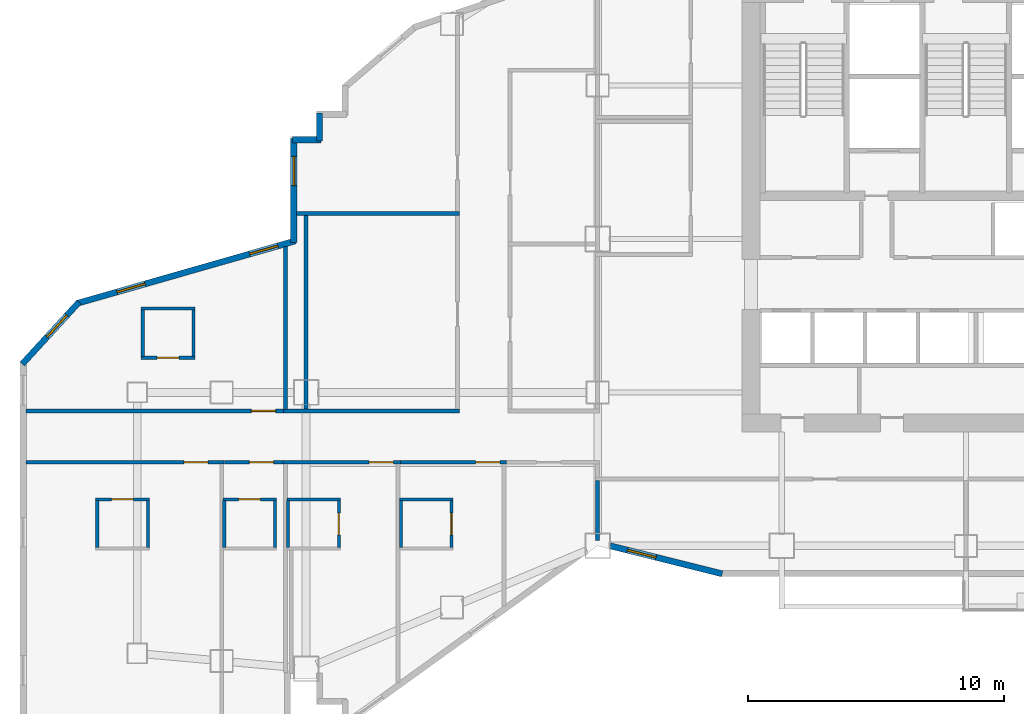
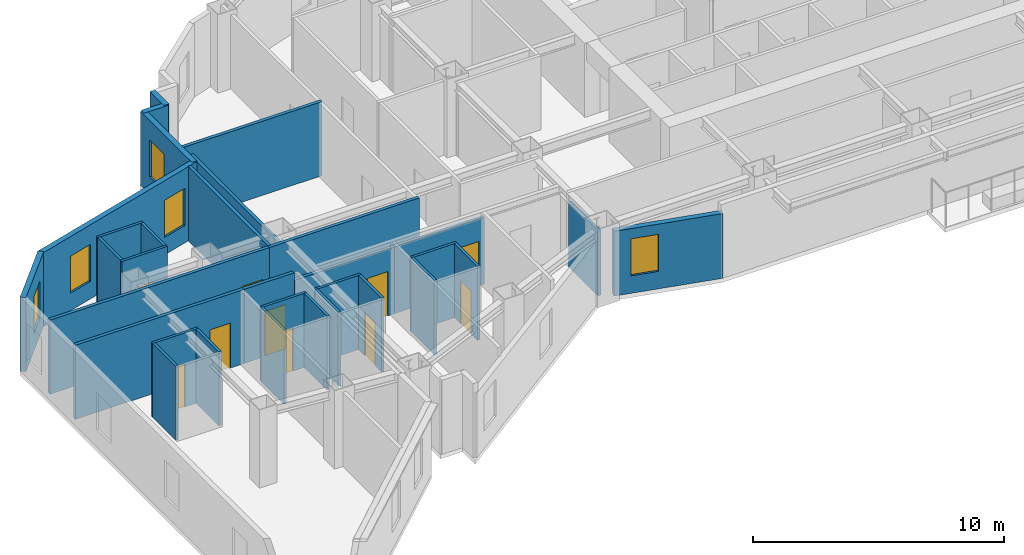
# One storey, part 6 of 13: 32 walls, 10 doors, 5 windows, 15 openings.
"""IFC4 building model written with IfcOpenShell, lengths in metres."""

from ifc_helpers import new_model, si_unit, direction, frame, frame_2d, origin, place, context, subcontext, project, spatial, rectangle, extrude, material, layer, layer_set, type_object, element, fill, save


model = new_model("IFC4")

# Units and contexts
model_context = context("Model", 3, precision=1e-05, world=origin(), true_north=direction((0.0, 1.0)))
body_context = subcontext(model_context, "Body", "Model", "MODEL_VIEW")
ifc_project = project(units=[si_unit("LENGTHUNIT", "METRE"), si_unit("AREAUNIT", "SQUARE_METRE"), si_unit("VOLUMEUNIT", "CUBIC_METRE"), si_unit("PLANEANGLEUNIT", "RADIAN"), si_unit("MASSUNIT", "GRAM", prefix="KILO")], contexts=[model_context])

# Site, building, storey
site_placement = place(None, origin())
site = spatial("IfcSite", under=ifc_project, at=site_placement, CompositionType="ELEMENT")
building_placement = place(site_placement, origin())
building = spatial("IfcBuilding", under=site, at=building_placement, Name="Haolan Belvedere Tower", CompositionType="ELEMENT")
storey_placement = place(building_placement, frame((0.0, 0.0, 128.800048828125)))
storey = spatial("IfcBuildingStorey", under=building, at=storey_placement, Name="L32", CompositionType="ELEMENT", Elevation=128.800048828125)

# Wall, opening, window
ifc_material_1 = material(Name="Precast concrete C40/50", Category="concrete")
ifc_layer_1 = layer(ifc_material_1, 0.239990234375, Name="Precast concrete C40/50")
ifc_layer_set_1 = layer_set([ifc_layer_1], Name="Precast concrete C40/50")
wall_type_1 = type_object("IfcWallType", Name="WL-EXT-240", PredefinedType="SOLIDWALL", material=ifc_layer_set_1)
wall_1_placement = place(storey_placement, frame((24.491943359375, 21.6005859375, 0.0), z_axis=(0.0, 0.0, 1.0), x_axis=(0.970145683738, -0.242522890311, 0.0)))
wall_1 = element("IfcWall", 1, at=wall_1_placement, inside=storey, type_object=wall_type_1, Name="L32 pale-metal exterior spandrel wall 6.1", PredefinedType="SOLIDWALL", context=body_context, shape_type="SweptSolid", body=[
    extrude(rectangle(XDim=4.510986328125, YDim=0.239990234375, at=frame_2d((2.25537109375, 0.0))), origin(), (0.0, 0.0, 1.0), 3.14501953125),
])
opening_1_placement = place(wall_1_placement, frame((0.699951171875, 0.0, 0.85009765625)))
opening_1 = element("IfcOpeningElement", 2, at=opening_1_placement, cuts=wall_1, Name="Opening W-02", PredefinedType="OPENING", context=body_context, shape_type="SweptSolid", body=[
    extrude(rectangle(XDim=1.14990234375, YDim=1.800048828125, at=frame_2d((0.574951171875, 0.89990234375))), frame((0.0, 0.1298828125, 0.0), z_axis=(0.0, -1.0, 0.0), x_axis=(1.0, 0.0, 0.0)), (0.0, 0.0, 1.0), 0.260009765625),
])
ifc_material_2 = material(Name="Anodised aluminium 6063-T6 and Low-E glass", Category="aluminium")
window_type = type_object("IfcWindowType", Name="WN-DECO-Z2", PartitioningType="SINGLE_PANEL", PredefinedType="WINDOW", material=ifc_material_2)
window_1_placement = place(opening_1_placement, origin())
window_1 = element("IfcWindow", 3, at=window_1_placement, inside=storey, type_object=window_type, Name="L32 Art Deco chevron window 1", OverallHeight=1.800048828125, OverallWidth=1.14990234375, PartitioningType="SINGLE_PANEL", PredefinedType="WINDOW", context=body_context, shape_type="SweptSolid", body=[
    extrude(rectangle(XDim=1.14990234375, YDim=1.800048828125, at=frame_2d((0.574951171875, 0.89990234375))), frame((0.0, 0.030029296875, 0.0), z_axis=(0.0, -1.0, 0.0), x_axis=(1.0, 0.0, 0.0)), (0.0, 0.0, 1.0), 0.06005859375),
])
fill(opening_1, window_1)

# Walls
wall_2_placement = place(storey_placement, frame((13.1201171875, 38.534912109375, 0.0), z_axis=(0.0, 0.0, 1.0), x_axis=(0.0, -1.0, 0.0)))
element("IfcWall", 4, at=wall_2_placement, inside=storey, type_object=wall_type_1, Name="L32 pale-metal exterior spandrel wall 39.1", PredefinedType="SOLIDWALL", context=body_context, shape_type="SweptSolid", body=[
    extrude(rectangle(XDim=1.10986328125, YDim=0.239990234375, at=frame_2d((0.554931640625, 0.0))), origin(), (0.0, 0.0, 1.0), 3.599853515625),
])
wall_3_placement = place(storey_placement, frame((13.175048828125, 37.47998046875, 0.0), z_axis=(0.0, 0.0, 1.0), x_axis=(-1.0, 0.0, 0.0)))
element("IfcWall", 5, at=wall_3_placement, inside=storey, type_object=wall_type_1, Name="L32 pale-metal exterior spandrel wall 40.1", PredefinedType="SOLIDWALL", context=body_context, shape_type="SweptSolid", body=[
    extrude(rectangle(XDim=1.110107421875, YDim=0.239990234375, at=frame_2d((0.55517578125, 0.0))), origin(), (0.0, 0.0, 1.0), 3.599853515625),
])

# Wall, opening, window
wall_4_placement = place(storey_placement, frame((12.1201171875, 37.534912109375, 0.0), z_axis=(0.0, 0.0, 1.0), x_axis=(0.0, -1.0, 0.0)))
wall_4 = element("IfcWall", 6, at=wall_4_placement, inside=storey, type_object=wall_type_1, Name="L32 pale-metal exterior spandrel wall 41.1", PredefinedType="SOLIDWALL", context=body_context, shape_type="SweptSolid", body=[
    extrude(rectangle(XDim=4.080322265625, YDim=0.239990234375, at=frame_2d((2.0400390625, 0.0))), origin(), (0.0, 0.0, 1.0), 3.599853515625),
])
opening_2_placement = place(wall_4_placement, frame((0.699951171875, 0.0, 0.85009765625)))
opening_2 = element("IfcOpeningElement", 7, at=opening_2_placement, cuts=wall_4, Name="Opening W-02", PredefinedType="OPENING", context=body_context, shape_type="SweptSolid", body=[
    extrude(rectangle(XDim=1.14990234375, YDim=1.800048828125, at=frame_2d((0.574951171875, 0.89990234375))), frame((0.0, 0.1298828125, 0.0), z_axis=(0.0, -1.0, 0.0), x_axis=(1.0, 0.0, 0.0)), (0.0, 0.0, 1.0), 0.260009765625),
])
window_2_placement = place(opening_2_placement, origin())
window_2 = element("IfcWindow", 8, at=window_2_placement, inside=storey, type_object=window_type, Name="L32 Art Deco chevron window 1", OverallHeight=1.800048828125, OverallWidth=1.14990234375, PartitioningType="SINGLE_PANEL", PredefinedType="WINDOW", context=body_context, shape_type="SweptSolid", body=[
    extrude(rectangle(XDim=1.14990234375, YDim=1.800048828125, at=frame_2d((0.574951171875, 0.89990234375))), frame((0.0, 0.030029296875, 0.0), z_axis=(0.0, -1.0, 0.0), x_axis=(1.0, 0.0, 0.0)), (0.0, 0.0, 1.0), 0.06005859375),
])
fill(opening_2, window_2)

# Wall, openings, windows
wall_5_placement = place(storey_placement, frame((12.1728515625, 33.524658203125, 0.0), z_axis=(0.0, 0.0, 1.0), x_axis=(-0.961351601853, -0.275323623424, 0.0)))
wall_5 = element("IfcWall", 9, at=wall_5_placement, inside=storey, type_object=wall_type_1, Name="L32 pale-metal exterior spandrel wall 42.1", PredefinedType="SOLIDWALL", context=body_context, shape_type="SweptSolid", body=[
    extrude(rectangle(XDim=8.88330078125, YDim=0.239990234375, at=frame_2d((4.441650390625, 0.0))), origin(), (0.0, 0.0, 1.0), 3.599853515625),
])
opening_3_placement = place(wall_5_placement, frame((0.699951171875, 0.0, 0.85009765625)))
opening_3 = element("IfcOpeningElement", 10, at=opening_3_placement, cuts=wall_5, Name="Opening W-02", PredefinedType="OPENING", context=body_context, shape_type="SweptSolid", body=[
    extrude(rectangle(XDim=1.14990234375, YDim=1.800048828125, at=frame_2d((0.574951171875, 0.89990234375))), frame((0.0, 0.1298828125, 0.0), z_axis=(0.0, -1.0, 0.0), x_axis=(1.0, 0.0, 0.0)), (0.0, 0.0, 1.0), 0.260009765625),
])
opening_4_placement = place(wall_5_placement, frame((6.10009765625, 0.0, 0.85009765625)))
opening_4 = element("IfcOpeningElement", 11, at=opening_4_placement, cuts=wall_5, Name="Opening W-02", PredefinedType="OPENING", context=body_context, shape_type="SweptSolid", body=[
    extrude(rectangle(XDim=1.14990234375, YDim=1.800048828125, at=frame_2d((0.574951171875, 0.89990234375))), frame((0.0, 0.1298828125, 0.0), z_axis=(0.0, -1.0, 0.0), x_axis=(1.0, 0.0, 0.0)), (0.0, 0.0, 1.0), 0.260009765625),
])
window_3_placement = place(opening_3_placement, origin())
window_3 = element("IfcWindow", 12, at=window_3_placement, inside=storey, type_object=window_type, Name="L32 Art Deco chevron window 1", OverallHeight=1.800048828125, OverallWidth=1.14990234375, PartitioningType="SINGLE_PANEL", PredefinedType="WINDOW", context=body_context, shape_type="SweptSolid", body=[
    extrude(rectangle(XDim=1.14990234375, YDim=1.800048828125, at=frame_2d((0.574951171875, 0.89990234375))), frame((0.0, 0.030029296875, 0.0), z_axis=(0.0, -1.0, 0.0), x_axis=(1.0, 0.0, 0.0)), (0.0, 0.0, 1.0), 0.06005859375),
])
fill(opening_3, window_3)
window_4_placement = place(opening_4_placement, origin())
window_4 = element("IfcWindow", 13, at=window_4_placement, inside=storey, type_object=window_type, Name="L32 Art Deco chevron window 2", OverallHeight=1.800048828125, OverallWidth=1.14990234375, PartitioningType="SINGLE_PANEL", PredefinedType="WINDOW", context=body_context, shape_type="SweptSolid", body=[
    extrude(rectangle(XDim=1.14990234375, YDim=1.800048828125, at=frame_2d((0.574951171875, 0.89990234375))), frame((0.0, 0.030029296875, 0.0), z_axis=(0.0, -1.0, 0.0), x_axis=(1.0, 0.0, 0.0)), (0.0, 0.0, 1.0), 0.06005859375),
])
fill(opening_4, window_4)

# Wall, opening, window
wall_6_placement = place(storey_placement, frame((3.722900390625, 31.134521484375, 0.0), z_axis=(0.0, 0.0, 1.0), x_axis=(-0.675788561887, -0.737095529509, 0.0)))
wall_6 = element("IfcWall", 14, at=wall_6_placement, inside=storey, type_object=wall_type_1, Name="L32 pale-metal exterior spandrel wall 43.1", PredefinedType="SOLIDWALL", context=body_context, shape_type="SweptSolid", body=[
    extrude(rectangle(XDim=3.285400390625, YDim=0.239990234375, at=frame_2d((1.642578125, 0.0))), origin(), (0.0, 0.0, 1.0), 3.599853515625),
])
opening_5_placement = place(wall_6_placement, frame((0.699951171875, 0.0, 0.85009765625)))
opening_5 = element("IfcOpeningElement", 15, at=opening_5_placement, cuts=wall_6, Name="Opening W-02", PredefinedType="OPENING", context=body_context, shape_type="SweptSolid", body=[
    extrude(rectangle(XDim=1.14990234375, YDim=1.800048828125, at=frame_2d((0.574951171875, 0.89990234375))), frame((0.0, 0.1298828125, 0.0), z_axis=(0.0, -1.0, 0.0), x_axis=(1.0, 0.0, 0.0)), (0.0, 0.0, 1.0), 0.260009765625),
])
window_5_placement = place(opening_5_placement, origin())
window_5 = element("IfcWindow", 16, at=window_5_placement, inside=storey, type_object=window_type, Name="L32 Art Deco chevron window 1", OverallHeight=1.800048828125, OverallWidth=1.14990234375, PartitioningType="SINGLE_PANEL", PredefinedType="WINDOW", context=body_context, shape_type="SweptSolid", body=[
    extrude(rectangle(XDim=1.14990234375, YDim=1.800048828125, at=frame_2d((0.574951171875, 0.89990234375))), frame((0.0, 0.030029296875, 0.0), z_axis=(0.0, -1.0, 0.0), x_axis=(1.0, 0.0, 0.0)), (0.0, 0.0, 1.0), 0.06005859375),
])
fill(opening_5, window_5)

# Walls
ifc_material_3 = material(Name="Double gypsum acoustic stud partition", Category="masonry")
ifc_layer_2 = layer(ifc_material_3, 0.14990234375, Name="Double gypsum acoustic stud partition")
ifc_layer_set_2 = layer_set([ifc_layer_2], Name="Double gypsum acoustic stud partition")
wall_type_2 = type_object("IfcWallType", Name="WL-PART-150", PredefinedType="PARTITIONING", material=ifc_layer_set_2)
wall_7_placement = place(storey_placement, frame((24.0, 21.818603515625, 0.0), z_axis=(0.0, 0.0, 1.0), x_axis=(0.0, 1.0, 0.0)))
element("IfcWall", 17, at=wall_7_placement, inside=storey, type_object=wall_type_2, Name="L32 interior partition IW-L32-KS1-W", PredefinedType="PARTITIONING", context=body_context, shape_type="SweptSolid", body=[
    extrude(rectangle(XDim=2.34130859375, YDim=0.14990234375, at=frame_2d((1.170654296875, 0.0))), origin(), (0.0, 0.0, 1.0), 3.14501953125),
])
wall_8_placement = place(storey_placement, frame((12.22509765625, 34.60009765625, 0.0), z_axis=(0.0, 0.0, 1.0), x_axis=(1.0, 0.0, 0.0)))
element("IfcWall", 18, at=wall_8_placement, inside=storey, type_object=wall_type_2, Name="L32 interior partition IW-L32-T2W1-N", PredefinedType="PARTITIONING", context=body_context, shape_type="SweptSolid", body=[
    extrude(rectangle(XDim=6.375, YDim=0.14990234375, at=frame_2d((3.1875, 0.0))), origin(), (0.0, 0.0, 1.0), 3.599853515625),
])
wall_9_placement = place(storey_placement, frame((11.719970703125, 26.8798828125, 0.0), z_axis=(0.0, 0.0, 1.0), x_axis=(1.0, 0.0, 0.0)))
element("IfcWall", 19, at=wall_9_placement, inside=storey, type_object=wall_type_2, Name="L32 interior partition IW-L32-T2W1-S", PredefinedType="PARTITIONING", context=body_context, shape_type="SweptSolid", body=[
    extrude(rectangle(XDim=6.880126953125, YDim=0.14990234375, at=frame_2d((3.43994140625, 0.0))), origin(), (0.0, 0.0, 1.0), 3.599853515625),
])
wall_10_placement = place(storey_placement, frame((11.800048828125, 26.93994140625, 0.0), z_axis=(0.0, 0.0, 1.0), x_axis=(0.0, 1.0, 0.0)))
element("IfcWall", 20, at=wall_10_placement, inside=storey, type_object=wall_type_2, Name="L32 interior partition IW-L32-T2W1-W", PredefinedType="PARTITIONING", context=body_context, shape_type="SweptSolid", body=[
    extrude(rectangle(XDim=6.36865234375, YDim=0.14990234375, at=frame_2d((3.184326171875, 0.0))), origin(), (0.0, 0.0, 1.0), 3.599853515625),
])

# Wall, opening, door
wall_11_placement = place(storey_placement, frame((11.699951171875, 24.8701171875, 0.0), z_axis=(0.0, 0.0, 1.0), x_axis=(1.0, 0.0, 0.0)))
wall_11 = element("IfcWall", 21, at=wall_11_placement, inside=storey, type_object=wall_type_2, Name="L32 interior partition IW-L32-T2S1-N", PredefinedType="PARTITIONING", context=body_context, shape_type="SweptSolid", body=[
    extrude(rectangle(XDim=4.590087890625, YDim=0.14990234375, at=frame_2d((2.294921875, 0.0))), origin(), (0.0, 0.0, 1.0), 3.23486328125),
])
opening_6_placement = place(wall_11_placement, frame((4.311279296875, 0.0, 0.0), z_axis=(0.0, 0.0, 1.0), x_axis=(-1.0, 0.0, 0.0)))
opening_6 = element("IfcOpeningElement", 22, at=opening_6_placement, cuts=wall_11, Name="Opening ID-02", PredefinedType="OPENING", context=body_context, shape_type="SweptSolid", body=[
    extrude(rectangle(XDim=0.949951171875, YDim=2.14990234375, at=frame_2d((0.47509765625, 1.074951171875))), frame((0.0, 0.0849609375, 0.0), z_axis=(0.0, -1.0, 0.0), x_axis=(1.0, 0.0, 0.0)), (0.0, 0.0, 1.0), 0.169921875),
])
ifc_material_4 = material(Name="Acoustic oak veneer fire-rated timber", Category="wood")
door_type_1 = type_object("IfcDoorType", Name="DR-GUEST-950", OperationType="NOTDEFINED", PredefinedType="DOOR", material=ifc_material_4)
door_1_placement = place(opening_6_placement, origin())
door_1 = element("IfcDoor", 23, at=door_1_placement, inside=storey, type_object=door_type_1, Name="L32 door ID-L32-T2S1-ENT", OperationType="SINGLE_SWING_RIGHT", OverallHeight=2.14990234375, OverallWidth=0.949951171875, PredefinedType="DOOR", context=body_context, shape_type="SweptSolid", body=[
    extrude(rectangle(XDim=0.949951171875, YDim=2.14990234375, at=frame_2d((0.47509765625, 1.074951171875))), frame((0.0, 0.02490234375, 0.0), z_axis=(0.0, -1.0, 0.0), x_axis=(1.0, 0.0, 0.0)), (0.0, 0.0, 1.0), 0.050048828125),
])
fill(opening_6, door_1)

wall_12_placement = place(storey_placement, frame((16.2919921875, 24.8701171875, 0.0), z_axis=(0.0, 0.0, 1.0), x_axis=(1.0, 0.0, 0.0)))
wall_12 = element("IfcWall", 24, at=wall_12_placement, inside=storey, type_object=wall_type_2, Name="L32 interior partition IW-L32-T2S2-N", PredefinedType="PARTITIONING", context=body_context, shape_type="SweptSolid", body=[
    extrude(rectangle(XDim=4.14794921875, YDim=0.14990234375, at=frame_2d((2.073974609375, 0.0))), origin(), (0.0, 0.0, 1.0), 3.23486328125),
])
opening_7_placement = place(wall_12_placement, frame((3.88525390625, 0.0, 0.0), z_axis=(0.0, 0.0, 1.0), x_axis=(-1.0, 0.0, 0.0)))
opening_7 = element("IfcOpeningElement", 25, at=opening_7_placement, cuts=wall_12, Name="Opening ID-02", PredefinedType="OPENING", context=body_context, shape_type="SweptSolid", body=[
    extrude(rectangle(XDim=0.949951171875, YDim=2.14990234375, at=frame_2d((0.47509765625, 1.074951171875))), frame((0.0, 0.0849609375, 0.0), z_axis=(0.0, -1.0, 0.0), x_axis=(1.0, 0.0, 0.0)), (0.0, 0.0, 1.0), 0.169921875),
])
door_2_placement = place(opening_7_placement, origin())
door_2 = element("IfcDoor", 26, at=door_2_placement, inside=storey, type_object=door_type_1, Name="L32 door ID-L32-T2S2-ENT", OperationType="SINGLE_SWING_LEFT", OverallHeight=2.14990234375, OverallWidth=0.949951171875, PredefinedType="DOOR", context=body_context, shape_type="SweptSolid", body=[
    extrude(rectangle(XDim=0.949951171875, YDim=2.14990234375, at=frame_2d((0.47509765625, 1.074951171875))), frame((0.0, 0.02490234375, 0.0), z_axis=(0.0, -1.0, 0.0), x_axis=(1.0, 0.0, 0.0)), (0.0, 0.0, 1.0), 0.050048828125),
])
fill(opening_7, door_2)

wall_13_placement = place(storey_placement, frame((1.64501953125, 24.8701171875, 0.0), z_axis=(0.0, 0.0, 1.0), x_axis=(1.0, 0.0, 0.0)))
wall_13 = element("IfcWall", 27, at=wall_13_placement, inside=storey, type_object=wall_type_2, Name="L32 interior partition IW-L32-T1S1-N", PredefinedType="PARTITIONING", context=body_context, shape_type="SweptSolid", body=[
    extrude(rectangle(XDim=7.7548828125, YDim=0.14990234375, at=frame_2d((3.87744140625, 0.0))), origin(), (0.0, 0.0, 1.0), 3.599853515625),
])
opening_8_placement = place(wall_13_placement, frame((7.129638671875, 0.0, 0.0), z_axis=(0.0, 0.0, 1.0), x_axis=(-1.0, 0.0, 0.0)))
opening_8 = element("IfcOpeningElement", 28, at=opening_8_placement, cuts=wall_13, Name="Opening ID-01", PredefinedType="OPENING", context=body_context, shape_type="SweptSolid", body=[
    extrude(rectangle(XDim=0.949951171875, YDim=2.179931640625, at=frame_2d((0.47509765625, 1.08984375))), frame((0.0, 0.0849609375, 0.0), z_axis=(0.0, -1.0, 0.0), x_axis=(1.0, 0.0, 0.0)), (0.0, 0.0, 1.0), 0.169921875),
])
ifc_material_5 = material(Name="Acoustic walnut veneer fire-rated timber", Category="wood")
door_type_2 = type_object("IfcDoorType", Name="DR-SUITE-950", OperationType="NOTDEFINED", PredefinedType="DOOR", material=ifc_material_5)
door_3_placement = place(opening_8_placement, origin())
door_3 = element("IfcDoor", 29, at=door_3_placement, inside=storey, type_object=door_type_2, Name="L32 door ID-L32-T1S1-ENT", OperationType="SINGLE_SWING_RIGHT", OverallHeight=2.179931640625, OverallWidth=0.949951171875, PredefinedType="DOOR", context=body_context, shape_type="SweptSolid", body=[
    extrude(rectangle(XDim=0.949951171875, YDim=2.179931640625, at=frame_2d((0.47509765625, 1.08984375))), frame((0.0, 0.02490234375, 0.0), z_axis=(0.0, -1.0, 0.0), x_axis=(1.0, 0.0, 0.0)), (0.0, 0.0, 1.0), 0.050048828125),
])
fill(opening_8, door_3)

wall_14_placement = place(storey_placement, frame((9.402099609375, 24.8701171875, 0.0), z_axis=(0.0, 0.0, 1.0), x_axis=(1.0, 0.0, 0.0)))
wall_14 = element("IfcWall", 30, at=wall_14_placement, inside=storey, type_object=wall_type_2, Name="L32 interior partition IW-L32-T1S2-N", PredefinedType="PARTITIONING", context=body_context, shape_type="SweptSolid", body=[
    extrude(rectangle(XDim=2.2958984375, YDim=0.14990234375, at=frame_2d((1.14794921875, 0.0))), origin(), (0.0, 0.0, 1.0), 3.599853515625),
])
opening_9_placement = place(wall_14_placement, frame((1.93408203125, 0.0, 0.0), z_axis=(0.0, 0.0, 1.0), x_axis=(-1.0, 0.0, 0.0)))
opening_9 = element("IfcOpeningElement", 31, at=opening_9_placement, cuts=wall_14, Name="Opening ID-02", PredefinedType="OPENING", context=body_context, shape_type="SweptSolid", body=[
    extrude(rectangle(XDim=0.949951171875, YDim=2.14990234375, at=frame_2d((0.47509765625, 1.074951171875))), frame((0.0, 0.0849609375, 0.0), z_axis=(0.0, -1.0, 0.0), x_axis=(1.0, 0.0, 0.0)), (0.0, 0.0, 1.0), 0.169921875),
])
door_4_placement = place(opening_9_placement, origin())
door_4 = element("IfcDoor", 32, at=door_4_placement, inside=storey, type_object=door_type_1, Name="L32 door ID-L32-T1S2-ENT", OperationType="SINGLE_SWING_LEFT", OverallHeight=2.14990234375, OverallWidth=0.949951171875, PredefinedType="DOOR", context=body_context, shape_type="SweptSolid", body=[
    extrude(rectangle(XDim=0.949951171875, YDim=2.14990234375, at=frame_2d((0.47509765625, 1.074951171875))), frame((0.0, 0.02490234375, 0.0), z_axis=(0.0, -1.0, 0.0), x_axis=(1.0, 0.0, 0.0)), (0.0, 0.0, 1.0), 0.050048828125),
])
fill(opening_9, door_4)

wall_15_placement = place(storey_placement, frame((1.64501953125, 26.8798828125, 0.0), z_axis=(0.0, 0.0, 1.0), x_axis=(1.0, 0.0, 0.0)))
wall_15 = element("IfcWall", 33, at=wall_15_placement, inside=storey, type_object=wall_type_2, Name="L32 interior partition IW-L32-T1N1-S", PredefinedType="PARTITIONING", context=body_context, shape_type="SweptSolid", body=[
    extrude(rectangle(XDim=10.072998046875, YDim=0.14990234375, at=frame_2d((5.03662109375, 0.0))), origin(), (0.0, 0.0, 1.0), 3.599853515625),
])
opening_10_placement = place(wall_15_placement, frame((8.816162109375, 0.0, 0.0)))
opening_10 = element("IfcOpeningElement", 34, at=opening_10_placement, cuts=wall_15, Name="Opening ID-02", PredefinedType="OPENING", context=body_context, shape_type="SweptSolid", body=[
    extrude(rectangle(XDim=0.949951171875, YDim=2.14990234375, at=frame_2d((0.47509765625, 1.074951171875))), frame((0.0, 0.0849609375, 0.0), z_axis=(0.0, -1.0, 0.0), x_axis=(1.0, 0.0, 0.0)), (0.0, 0.0, 1.0), 0.169921875),
])
door_5_placement = place(opening_10_placement, origin())
door_5 = element("IfcDoor", 35, at=door_5_placement, inside=storey, type_object=door_type_1, Name="L32 door ID-L32-T1N1-ENT", OperationType="SINGLE_SWING_RIGHT", OverallHeight=2.14990234375, OverallWidth=0.949951171875, PredefinedType="DOOR", context=body_context, shape_type="SweptSolid", body=[
    extrude(rectangle(XDim=0.949951171875, YDim=2.14990234375, at=frame_2d((0.47509765625, 1.074951171875))), frame((0.0, 0.02490234375, 0.0), z_axis=(0.0, -1.0, 0.0), x_axis=(1.0, 0.0, 0.0)), (0.0, 0.0, 1.0), 0.050048828125),
])
fill(opening_10, door_5)

# Walls
wall_16_placement = place(storey_placement, frame((12.60009765625, 26.93994140625, 0.0), z_axis=(0.0, 0.0, 1.0), x_axis=(0.0, 1.0, 0.0)))
element("IfcWall", 36, at=wall_16_placement, inside=storey, type_object=wall_type_2, Name="L32 interior partition IW-L32-T1N1-E", PredefinedType="PARTITIONING", context=body_context, shape_type="SweptSolid", body=[
    extrude(rectangle(XDim=7.60009765625, YDim=0.14990234375, at=frame_2d((3.800048828125, 0.0))), origin(), (0.0, 0.0, 1.0), 3.14501953125),
])
ifc_material_6 = material(Name="Moisture-resistant gypsum tile partition", Category="masonry")
ifc_layer_3 = layer(ifc_material_6, 0.1201171875, Name="Moisture-resistant gypsum tile partition")
ifc_layer_set_3 = layer_set([ifc_layer_3], Name="Moisture-resistant gypsum tile partition")
wall_type_3 = type_object("IfcWallType", Name="WL-WET-120", PredefinedType="PARTITIONING", material=ifc_layer_set_3)
wall_17_placement = place(storey_placement, frame((11.860107421875, 23.419921875, 0.0), z_axis=(0.0, 0.0, 1.0), x_axis=(1.0, 0.0, 0.0)))
element("IfcWall", 37, at=wall_17_placement, inside=storey, type_object=wall_type_3, Name="L32 interior partition IW-L32-T2S1-BN", PredefinedType="PARTITIONING", context=body_context, shape_type="SweptSolid", body=[
    extrude(rectangle(XDim=2.079833984375, YDim=0.1201171875, at=frame_2d((1.0400390625, 0.0))), origin(), (0.0, 0.0, 1.0), 3.599853515625),
])
wall_18_placement = place(storey_placement, frame((11.89990234375, 21.544921875, 0.0), z_axis=(0.0, 0.0, 1.0), x_axis=(0.0, 1.0, 0.0)))
element("IfcWall", 38, at=wall_18_placement, inside=storey, type_object=wall_type_3, Name="L32 interior partition IW-L32-T2S1-BW", PredefinedType="PARTITIONING", context=body_context, shape_type="SweptSolid", body=[
    extrude(rectangle(XDim=1.830078125, YDim=0.1201171875, at=frame_2d((0.9150390625, 0.0))), origin(), (0.0, 0.0, 1.0), 3.599853515625),
])

# Wall, opening, door
wall_19_placement = place(storey_placement, frame((13.8798828125, 21.544921875, 0.0), z_axis=(0.0, 0.0, 1.0), x_axis=(0.0, 1.0, 0.0)))
wall_19 = element("IfcWall", 39, at=wall_19_placement, inside=storey, type_object=wall_type_3, Name="L32 interior partition IW-L32-T2S1-BE", PredefinedType="PARTITIONING", context=body_context, shape_type="SweptSolid", body=[
    extrude(rectangle(XDim=1.830078125, YDim=0.1201171875, at=frame_2d((0.9150390625, 0.0))), origin(), (0.0, 0.0, 1.0), 3.599853515625),
])
opening_11_placement = place(wall_19_placement, frame((0.489990234375, 0.0, 0.0)))
opening_11 = element("IfcOpeningElement", 40, at=opening_11_placement, cuts=wall_19, Name="Opening ID-05", PredefinedType="OPENING", context=body_context, shape_type="SweptSolid", body=[
    extrude(rectangle(XDim=0.85009765625, YDim=2.10009765625, at=frame_2d((0.425048828125, 1.050048828125))), frame((0.0, 0.070068359375, 0.0), z_axis=(0.0, -1.0, 0.0), x_axis=(1.0, 0.0, 0.0)), (0.0, 0.0, 1.0), 0.14013671875),
])
ifc_material_7 = material(Name="Moisture-resistant lacquered timber", Category="wood")
door_type_3 = type_object("IfcDoorType", Name="DR-BATH-850", OperationType="NOTDEFINED", PredefinedType="DOOR", material=ifc_material_7)
door_6_placement = place(opening_11_placement, origin())
door_6 = element("IfcDoor", 41, at=door_6_placement, inside=storey, type_object=door_type_3, Name="L32 door ID-L32-T2S1-BATH", OperationType="SINGLE_SWING_LEFT", OverallHeight=2.10009765625, OverallWidth=0.85009765625, PredefinedType="DOOR", context=body_context, shape_type="SweptSolid", body=[
    extrude(rectangle(XDim=0.85009765625, YDim=2.10009765625, at=frame_2d((0.425048828125, 1.050048828125))), frame((0.0, 0.02490234375, 0.0), z_axis=(0.0, -1.0, 0.0), x_axis=(1.0, 0.0, 0.0)), (0.0, 0.0, 1.0), 0.050048828125),
])
fill(opening_11, door_6)

# Walls
wall_20_placement = place(storey_placement, frame((16.25, 23.419921875, 0.0), z_axis=(0.0, 0.0, 1.0), x_axis=(1.0, 0.0, 0.0)))
element("IfcWall", 42, at=wall_20_placement, inside=storey, type_object=wall_type_3, Name="L32 interior partition IW-L32-T2S2-BN", PredefinedType="PARTITIONING", context=body_context, shape_type="SweptSolid", body=[
    extrude(rectangle(XDim=2.094970703125, YDim=0.1201171875, at=frame_2d((1.04736328125, 0.0))), origin(), (0.0, 0.0, 1.0), 3.599853515625),
])
wall_21_placement = place(storey_placement, frame((16.304931640625, 21.544921875, 0.0), z_axis=(0.0, 0.0, 1.0), x_axis=(0.0, 1.0, 0.0)))
element("IfcWall", 43, at=wall_21_placement, inside=storey, type_object=wall_type_3, Name="L32 interior partition IW-L32-T2S2-BW", PredefinedType="PARTITIONING", context=body_context, shape_type="SweptSolid", body=[
    extrude(rectangle(XDim=1.830078125, YDim=0.1201171875, at=frame_2d((0.9150390625, 0.0))), origin(), (0.0, 0.0, 1.0), 3.599853515625),
])

# Wall, opening, door
wall_22_placement = place(storey_placement, frame((18.284912109375, 21.544921875, 0.0), z_axis=(0.0, 0.0, 1.0), x_axis=(0.0, 1.0, 0.0)))
wall_22 = element("IfcWall", 44, at=wall_22_placement, inside=storey, type_object=wall_type_3, Name="L32 interior partition IW-L32-T2S2-BE", PredefinedType="PARTITIONING", context=body_context, shape_type="SweptSolid", body=[
    extrude(rectangle(XDim=1.830078125, YDim=0.1201171875, at=frame_2d((0.9150390625, 0.0))), origin(), (0.0, 0.0, 1.0), 3.599853515625),
])
opening_12_placement = place(wall_22_placement, frame((0.489990234375, 0.0, 0.0)))
opening_12 = element("IfcOpeningElement", 45, at=opening_12_placement, cuts=wall_22, Name="Opening ID-05", PredefinedType="OPENING", context=body_context, shape_type="SweptSolid", body=[
    extrude(rectangle(XDim=0.85009765625, YDim=2.10009765625, at=frame_2d((0.425048828125, 1.050048828125))), frame((0.0, 0.070068359375, 0.0), z_axis=(0.0, -1.0, 0.0), x_axis=(1.0, 0.0, 0.0)), (0.0, 0.0, 1.0), 0.14013671875),
])
door_7_placement = place(opening_12_placement, origin())
door_7 = element("IfcDoor", 46, at=door_7_placement, inside=storey, type_object=door_type_3, Name="L32 door ID-L32-T2S2-BATH", OperationType="SINGLE_SWING_RIGHT", OverallHeight=2.10009765625, OverallWidth=0.85009765625, PredefinedType="DOOR", context=body_context, shape_type="SweptSolid", body=[
    extrude(rectangle(XDim=0.85009765625, YDim=2.10009765625, at=frame_2d((0.425048828125, 1.050048828125))), frame((0.0, 0.02490234375, 0.0), z_axis=(0.0, -1.0, 0.0), x_axis=(1.0, 0.0, 0.0)), (0.0, 0.0, 1.0), 0.050048828125),
])
fill(opening_12, door_7)

wall_23_placement = place(storey_placement, frame((4.375, 23.419921875, 0.0), z_axis=(0.0, 0.0, 1.0), x_axis=(1.0, 0.0, 0.0)))
wall_23 = element("IfcWall", 47, at=wall_23_placement, inside=storey, type_object=wall_type_3, Name="L32 interior partition IW-L32-T1S1-BN", PredefinedType="PARTITIONING", context=body_context, shape_type="SweptSolid", body=[
    extrude(rectangle(XDim=2.10009765625, YDim=0.1201171875, at=frame_2d((1.050048828125, 0.0))), origin(), (0.0, 0.0, 1.0), 3.599853515625),
])
opening_13_placement = place(wall_23_placement, frame((1.47509765625, 0.0, 0.0), z_axis=(0.0, 0.0, 1.0), x_axis=(-1.0, 0.0, 0.0)))
opening_13 = element("IfcOpeningElement", 48, at=opening_13_placement, cuts=wall_23, Name="Opening ID-05", PredefinedType="OPENING", context=body_context, shape_type="SweptSolid", body=[
    extrude(rectangle(XDim=0.85009765625, YDim=2.10009765625, at=frame_2d((0.425048828125, 1.050048828125))), frame((0.0, 0.070068359375, 0.0), z_axis=(0.0, -1.0, 0.0), x_axis=(1.0, 0.0, 0.0)), (0.0, 0.0, 1.0), 0.14013671875),
])
door_8_placement = place(opening_13_placement, origin())
door_8 = element("IfcDoor", 49, at=door_8_placement, inside=storey, type_object=door_type_3, Name="L32 door ID-L32-T1S1-BATH", OperationType="SINGLE_SWING_LEFT", OverallHeight=2.10009765625, OverallWidth=0.85009765625, PredefinedType="DOOR", context=body_context, shape_type="SweptSolid", body=[
    extrude(rectangle(XDim=0.85009765625, YDim=2.10009765625, at=frame_2d((0.425048828125, 1.050048828125))), frame((0.0, 0.02490234375, 0.0), z_axis=(0.0, -1.0, 0.0), x_axis=(1.0, 0.0, 0.0)), (0.0, 0.0, 1.0), 0.050048828125),
])
fill(opening_13, door_8)

# Walls
for number, where, z_axis, x_axis, name in (
    (50, (4.43505859375, 21.544921875, 0.0), (0.0, 0.0, 1.0), (0.0, 1.0, 0.0), "L32 interior partition IW-L32-T1S1-BW"),
    (51, (6.4150390625, 21.544921875, 0.0), (0.0, 0.0, 1.0), (0.0, 1.0, 0.0), "L32 interior partition IW-L32-T1S1-BE"),
):
    element("IfcWall", number, at=place(storey_placement, frame(where, z_axis=z_axis, x_axis=x_axis)), inside=storey, type_object=wall_type_3, Name=name, PredefinedType="PARTITIONING", context=body_context, shape_type="SweptSolid", body=[
        extrude(rectangle(XDim=1.830078125, YDim=0.1201171875, at=frame_2d((0.9150390625, 0.0))), origin(), (0.0, 0.0, 1.0), 3.599853515625),
    ])

# Wall, opening, door
wall_24_placement = place(storey_placement, frame((9.360107421875, 23.419921875, 0.0), z_axis=(0.0, 0.0, 1.0), x_axis=(1.0, 0.0, 0.0)))
wall_24 = element("IfcWall", 52, at=wall_24_placement, inside=storey, type_object=wall_type_3, Name="L32 interior partition IW-L32-T1S2-BN", PredefinedType="PARTITIONING", context=body_context, shape_type="SweptSolid", body=[
    extrude(rectangle(XDim=2.079833984375, YDim=0.1201171875, at=frame_2d((1.0400390625, 0.0))), origin(), (0.0, 0.0, 1.0), 3.599853515625),
])
opening_14_placement = place(wall_24_placement, frame((1.455078125, 0.0, 0.0), z_axis=(0.0, 0.0, 1.0), x_axis=(-1.0, 0.0, 0.0)))
opening_14 = element("IfcOpeningElement", 53, at=opening_14_placement, cuts=wall_24, Name="Opening ID-05", PredefinedType="OPENING", context=body_context, shape_type="SweptSolid", body=[
    extrude(rectangle(XDim=0.85009765625, YDim=2.10009765625, at=frame_2d((0.425048828125, 1.050048828125))), frame((0.0, 0.070068359375, 0.0), z_axis=(0.0, -1.0, 0.0), x_axis=(1.0, 0.0, 0.0)), (0.0, 0.0, 1.0), 0.14013671875),
])
door_9_placement = place(opening_14_placement, origin())
door_9 = element("IfcDoor", 54, at=door_9_placement, inside=storey, type_object=door_type_3, Name="L32 door ID-L32-T1S2-BATH", OperationType="SINGLE_SWING_RIGHT", OverallHeight=2.10009765625, OverallWidth=0.85009765625, PredefinedType="DOOR", context=body_context, shape_type="SweptSolid", body=[
    extrude(rectangle(XDim=0.85009765625, YDim=2.10009765625, at=frame_2d((0.425048828125, 1.050048828125))), frame((0.0, 0.02490234375, 0.0), z_axis=(0.0, -1.0, 0.0), x_axis=(1.0, 0.0, 0.0)), (0.0, 0.0, 1.0), 0.050048828125),
])
fill(opening_14, door_9)

# Walls
for number, where, z_axis, x_axis, name in (
    (55, (9.39990234375, 21.544921875, 0.0), (0.0, 0.0, 1.0), (0.0, 1.0, 0.0), "L32 interior partition IW-L32-T1S2-BW"),
    (56, (11.3798828125, 21.544921875, 0.0), (0.0, 0.0, 1.0), (0.0, 1.0, 0.0), "L32 interior partition IW-L32-T1S2-BE"),
):
    element("IfcWall", number, at=place(storey_placement, frame(where, z_axis=z_axis, x_axis=x_axis)), inside=storey, type_object=wall_type_3, Name=name, PredefinedType="PARTITIONING", context=body_context, shape_type="SweptSolid", body=[
        extrude(rectangle(XDim=1.830078125, YDim=0.1201171875, at=frame_2d((0.9150390625, 0.0))), origin(), (0.0, 0.0, 1.0), 3.599853515625),
    ])
wall_25_placement = place(storey_placement, frame((6.153076171875, 30.876953125, 0.0), z_axis=(0.0, 0.0, 1.0), x_axis=(1.0, 0.0, 0.0)))
element("IfcWall", 57, at=wall_25_placement, inside=storey, type_object=wall_type_3, Name="L32 interior partition IW-L32-T1N1-BN", PredefinedType="PARTITIONING", context=body_context, shape_type="SweptSolid", body=[
    extrude(rectangle(XDim=2.099853515625, YDim=0.1201171875, at=frame_2d((1.0498046875, 0.0))), origin(), (0.0, 0.0, 1.0), 3.599853515625),
])

# Wall, opening, door
wall_26_placement = place(storey_placement, frame((6.153076171875, 28.95703125, 0.0), z_axis=(0.0, 0.0, 1.0), x_axis=(1.0, 0.0, 0.0)))
wall_26 = element("IfcWall", 58, at=wall_26_placement, inside=storey, type_object=wall_type_3, Name="L32 interior partition IW-L32-T1N1-BS", PredefinedType="PARTITIONING", context=body_context, shape_type="SweptSolid", body=[
    extrude(rectangle(XDim=2.099853515625, YDim=0.1201171875, at=frame_2d((1.0498046875, 0.0))), origin(), (0.0, 0.0, 1.0), 3.599853515625),
])
opening_15_placement = place(wall_26_placement, frame((0.625, 0.0, 0.0)))
opening_15 = element("IfcOpeningElement", 59, at=opening_15_placement, cuts=wall_26, Name="Opening ID-05", PredefinedType="OPENING", context=body_context, shape_type="SweptSolid", body=[
    extrude(rectangle(XDim=0.85009765625, YDim=2.10009765625, at=frame_2d((0.425048828125, 1.050048828125))), frame((0.0, 0.070068359375, 0.0), z_axis=(0.0, -1.0, 0.0), x_axis=(1.0, 0.0, 0.0)), (0.0, 0.0, 1.0), 0.14013671875),
])
door_10_placement = place(opening_15_placement, origin())
door_10 = element("IfcDoor", 60, at=door_10_placement, inside=storey, type_object=door_type_3, Name="L32 door ID-L32-T1N1-BATH", OperationType="SINGLE_SWING_LEFT", OverallHeight=2.10009765625, OverallWidth=0.85009765625, PredefinedType="DOOR", context=body_context, shape_type="SweptSolid", body=[
    extrude(rectangle(XDim=0.85009765625, YDim=2.10009765625, at=frame_2d((0.425048828125, 1.050048828125))), frame((0.0, 0.02490234375, 0.0), z_axis=(0.0, -1.0, 0.0), x_axis=(1.0, 0.0, 0.0)), (0.0, 0.0, 1.0), 0.050048828125),
])
fill(opening_15, door_10)

# Walls
for number, where, z_axis, x_axis, name in (
    (61, (6.212890625, 29.001953125, 0.0), (0.0, 0.0, 1.0), (0.0, 1.0, 0.0), "L32 interior partition IW-L32-T1N1-BW"),
    (62, (8.193115234375, 29.001953125, 0.0), (0.0, 0.0, 1.0), (0.0, 1.0, 0.0), "L32 interior partition IW-L32-T1N1-BE"),
):
    element("IfcWall", number, at=place(storey_placement, frame(where, z_axis=z_axis, x_axis=x_axis)), inside=storey, type_object=wall_type_3, Name=name, PredefinedType="PARTITIONING", context=body_context, shape_type="SweptSolid", body=[
        extrude(rectangle(XDim=1.830078125, YDim=0.1201171875, at=frame_2d((0.9150390625, 0.0))), origin(), (0.0, 0.0, 1.0), 3.599853515625),
    ])

save(model, "model.ifc")
